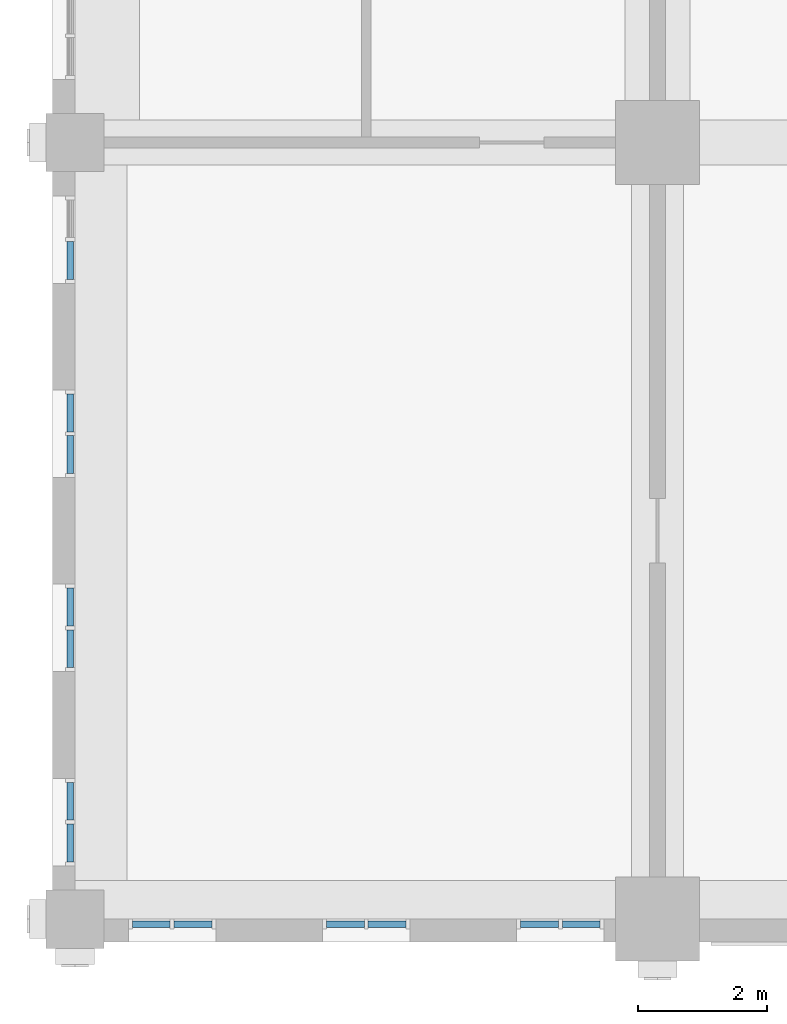
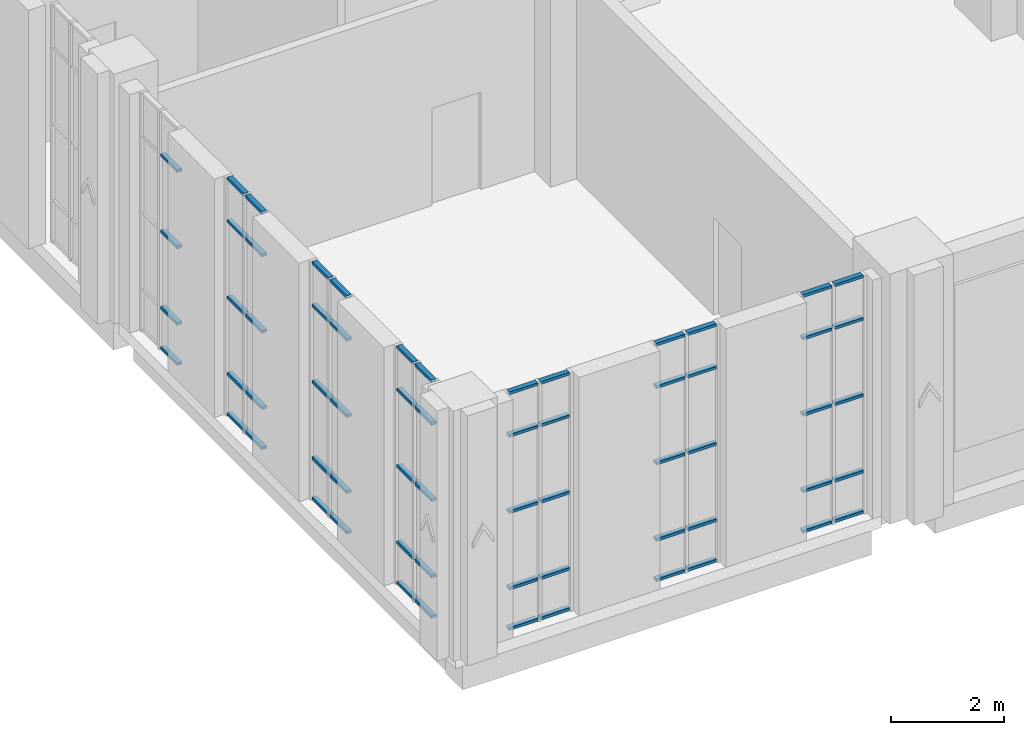
# One storey, part 9 of 37: 64 members, 7 elements without a shape of their own.
"""IFC4 building model written with IfcOpenShell, lengths in metres."""

from ifc_helpers import new_model, si_unit, direction, frame, origin, origin_2d, place, context, subcontext, project, spatial, rectangle, extrude, material, layer, layer_set, material_profile, profile_set, type_object, element, aggregate, save


model = new_model("IFC4")

# Units and contexts
model_context = context("Model", 3, precision=1e-05, world=origin(), true_north=direction((0.0, 1.0)))
body_context = subcontext(model_context, "Body", "Model", "MODEL_VIEW")
ifc_project = project(units=[si_unit("LENGTHUNIT", "METRE"), si_unit("AREAUNIT", "SQUARE_METRE"), si_unit("VOLUMEUNIT", "CUBIC_METRE"), si_unit("PLANEANGLEUNIT", "RADIAN"), si_unit("MASSUNIT", "GRAM", prefix="KILO")], contexts=[model_context])

# Site, building, storey
site_placement = place(None, origin())
site = spatial("IfcSite", under=ifc_project, at=site_placement, CompositionType="ELEMENT")
building_placement = place(site_placement, origin())
building = spatial("IfcBuilding", under=site, at=building_placement, Name="Aurelan Courthouse", CompositionType="ELEMENT")
storey_placement = place(building_placement, frame((0.0, 0.0, 17.39990234375)))
storey = spatial("IfcBuildingStorey", under=building, at=storey_placement, Name="L03", CompositionType="ELEMENT", Elevation=17.39990234375)

# Curtain wall, members
ifc_material_1 = material(Name="Bronze-finished aluminium and glass", Category="aluminium")
ifc_layer = layer(ifc_material_1, 0.14990234375)
ifc_layer_set = layer_set([ifc_layer], Name="Bronze-finished aluminium and glass")
curtain_wall_type = type_object("IfcCurtainWallType", Name="Curtain wall 1350 x 5150", PredefinedType="NOTDEFINED", material=ifc_layer_set)
curtain_wall_1_placement = place(storey_placement, origin())
curtain_wall_1 = element("IfcCurtainWall", 1, at=curtain_wall_1_placement, inside=storey, type_object=curtain_wall_type, Name="Curtain wall CW-V5-L03-S01", PredefinedType="NOTDEFINED")
ifc_material_2 = material(Name="Bronze-finished aluminium", Category="aluminium")
ifc_material_profile = material_profile(ifc_material_2, rectangle(XDim=0.10009765625, YDim=0.06005859375, at=origin_2d()), Name="Bronze transom 60 x 100")
ifc_profile_set = profile_set([ifc_material_profile], Name="Bronze-finished aluminium")
member_type = type_object("IfcMemberType", Name="Curtain wall transom 60 x 100", PredefinedType="USERDEFINED", material=ifc_profile_set)
member_1_placement = place(storey_placement, frame((0.885009765625, -0.074951171875, 0.030029296875), z_axis=(1.0, 0.0, 0.0), x_axis=(0.0, 1.0, 0.0)))
member_1 = element("IfcMember", 2, at=member_1_placement, type_object=member_type, Name="CW-V5-L03-S01 transom 1.1", ObjectType="TRANSOM", PredefinedType="USERDEFINED", context=body_context, shape_type="SweptSolid", body=[
    extrude(rectangle(XDim=0.10009765625, YDim=0.06005859375, at=origin_2d()), origin(), (0.0, 0.0, 1.0), 0.5849609375),
])
member_2_placement = place(storey_placement, frame((0.885009765625, -0.074951171875, 0.900146484375), z_axis=(1.0, 0.0, 0.0), x_axis=(0.0, 1.0, 0.0)))
member_2 = element("IfcMember", 3, at=member_2_placement, type_object=member_type, Name="CW-V5-L03-S01 transom 1.2", ObjectType="TRANSOM", PredefinedType="USERDEFINED", context=body_context, shape_type="SweptSolid", body=[
    extrude(rectangle(XDim=0.10009765625, YDim=0.06005859375, at=origin_2d()), origin(), (0.0, 0.0, 1.0), 0.5849609375),
])
member_3_placement = place(storey_placement, frame((0.885009765625, -0.074951171875, 2.550048828125), z_axis=(1.0, 0.0, 0.0), x_axis=(0.0, 1.0, 0.0)))
member_3 = element("IfcMember", 4, at=member_3_placement, type_object=member_type, Name="CW-V5-L03-S01 transom 1.3", ObjectType="TRANSOM", PredefinedType="USERDEFINED", context=body_context, shape_type="SweptSolid", body=[
    extrude(rectangle(XDim=0.10009765625, YDim=0.06005859375, at=origin_2d()), origin(), (0.0, 0.0, 1.0), 0.5849609375),
])
member_4_placement = place(storey_placement, frame((0.885009765625, -0.074951171875, 4.2001953125), z_axis=(1.0, 0.0, 0.0), x_axis=(0.0, 1.0, 0.0)))
member_4 = element("IfcMember", 5, at=member_4_placement, type_object=member_type, Name="CW-V5-L03-S01 transom 1.4", ObjectType="TRANSOM", PredefinedType="USERDEFINED", context=body_context, shape_type="SweptSolid", body=[
    extrude(rectangle(XDim=0.10009765625, YDim=0.06005859375, at=origin_2d()), origin(), (0.0, 0.0, 1.0), 0.5849609375),
])
member_5_placement = place(storey_placement, frame((0.885009765625, -0.074951171875, 5.1201171875), z_axis=(1.0, 0.0, 0.0), x_axis=(0.0, 1.0, 0.0)))
member_5 = element("IfcMember", 6, at=member_5_placement, type_object=member_type, Name="CW-V5-L03-S01 transom 1.5", ObjectType="TRANSOM", PredefinedType="USERDEFINED", context=body_context, shape_type="SweptSolid", body=[
    extrude(rectangle(XDim=0.10009765625, YDim=0.06005859375, at=origin_2d()), origin(), (0.0, 0.0, 1.0), 0.5849609375),
])
member_6_placement = place(storey_placement, frame((1.530029296875, -0.074951171875, 0.030029296875), z_axis=(1.0, 0.0, 0.0), x_axis=(0.0, 1.0, 0.0)))
member_6 = element("IfcMember", 7, at=member_6_placement, type_object=member_type, Name="CW-V5-L03-S01 transom 2.1", ObjectType="TRANSOM", PredefinedType="USERDEFINED", context=body_context, shape_type="SweptSolid", body=[
    extrude(rectangle(XDim=0.10009765625, YDim=0.06005859375, at=origin_2d()), origin(), (0.0, 0.0, 1.0), 0.5849609375),
])
member_7_placement = place(storey_placement, frame((1.530029296875, -0.074951171875, 0.900146484375), z_axis=(1.0, 0.0, 0.0), x_axis=(0.0, 1.0, 0.0)))
member_7 = element("IfcMember", 8, at=member_7_placement, type_object=member_type, Name="CW-V5-L03-S01 transom 2.2", ObjectType="TRANSOM", PredefinedType="USERDEFINED", context=body_context, shape_type="SweptSolid", body=[
    extrude(rectangle(XDim=0.10009765625, YDim=0.06005859375, at=origin_2d()), origin(), (0.0, 0.0, 1.0), 0.5849609375),
])
member_8_placement = place(storey_placement, frame((1.530029296875, -0.074951171875, 2.550048828125), z_axis=(1.0, 0.0, 0.0), x_axis=(0.0, 1.0, 0.0)))
member_8 = element("IfcMember", 9, at=member_8_placement, type_object=member_type, Name="CW-V5-L03-S01 transom 2.3", ObjectType="TRANSOM", PredefinedType="USERDEFINED", context=body_context, shape_type="SweptSolid", body=[
    extrude(rectangle(XDim=0.10009765625, YDim=0.06005859375, at=origin_2d()), origin(), (0.0, 0.0, 1.0), 0.5849609375),
])
member_9_placement = place(storey_placement, frame((1.530029296875, -0.074951171875, 4.2001953125), z_axis=(1.0, 0.0, 0.0), x_axis=(0.0, 1.0, 0.0)))
member_9 = element("IfcMember", 10, at=member_9_placement, type_object=member_type, Name="CW-V5-L03-S01 transom 2.4", ObjectType="TRANSOM", PredefinedType="USERDEFINED", context=body_context, shape_type="SweptSolid", body=[
    extrude(rectangle(XDim=0.10009765625, YDim=0.06005859375, at=origin_2d()), origin(), (0.0, 0.0, 1.0), 0.5849609375),
])
member_10_placement = place(storey_placement, frame((1.530029296875, -0.074951171875, 5.1201171875), z_axis=(1.0, 0.0, 0.0), x_axis=(0.0, 1.0, 0.0)))
member_10 = element("IfcMember", 11, at=member_10_placement, type_object=member_type, Name="CW-V5-L03-S01 transom 2.5", ObjectType="TRANSOM", PredefinedType="USERDEFINED", context=body_context, shape_type="SweptSolid", body=[
    extrude(rectangle(XDim=0.10009765625, YDim=0.06005859375, at=origin_2d()), origin(), (0.0, 0.0, 1.0), 0.5849609375),
])
aggregate(curtain_wall_1, [member_1, member_2, member_3, member_4, member_5, member_6, member_7, member_8, member_9, member_10])

curtain_wall_2_placement = place(storey_placement, origin())
curtain_wall_2 = element("IfcCurtainWall", 12, at=curtain_wall_2_placement, inside=storey, type_object=curtain_wall_type, Name="Curtain wall CW-V5-L03-S02", PredefinedType="NOTDEFINED")
member_11_placement = place(storey_placement, frame((3.885009765625, -0.074951171875, 0.030029296875), z_axis=(1.0, 0.0, 0.0), x_axis=(0.0, 1.0, 0.0)))
member_11 = element("IfcMember", 13, at=member_11_placement, type_object=member_type, Name="CW-V5-L03-S02 transom 1.1", ObjectType="TRANSOM", PredefinedType="USERDEFINED", context=body_context, shape_type="SweptSolid", body=[
    extrude(rectangle(XDim=0.10009765625, YDim=0.06005859375, at=origin_2d()), origin(), (0.0, 0.0, 1.0), 0.5849609375),
])
member_12_placement = place(storey_placement, frame((3.885009765625, -0.074951171875, 0.900146484375), z_axis=(1.0, 0.0, 0.0), x_axis=(0.0, 1.0, 0.0)))
member_12 = element("IfcMember", 14, at=member_12_placement, type_object=member_type, Name="CW-V5-L03-S02 transom 1.2", ObjectType="TRANSOM", PredefinedType="USERDEFINED", context=body_context, shape_type="SweptSolid", body=[
    extrude(rectangle(XDim=0.10009765625, YDim=0.06005859375, at=origin_2d()), origin(), (0.0, 0.0, 1.0), 0.5849609375),
])
member_13_placement = place(storey_placement, frame((3.885009765625, -0.074951171875, 2.550048828125), z_axis=(1.0, 0.0, 0.0), x_axis=(0.0, 1.0, 0.0)))
member_13 = element("IfcMember", 15, at=member_13_placement, type_object=member_type, Name="CW-V5-L03-S02 transom 1.3", ObjectType="TRANSOM", PredefinedType="USERDEFINED", context=body_context, shape_type="SweptSolid", body=[
    extrude(rectangle(XDim=0.10009765625, YDim=0.06005859375, at=origin_2d()), origin(), (0.0, 0.0, 1.0), 0.5849609375),
])
member_14_placement = place(storey_placement, frame((3.885009765625, -0.074951171875, 4.2001953125), z_axis=(1.0, 0.0, 0.0), x_axis=(0.0, 1.0, 0.0)))
member_14 = element("IfcMember", 16, at=member_14_placement, type_object=member_type, Name="CW-V5-L03-S02 transom 1.4", ObjectType="TRANSOM", PredefinedType="USERDEFINED", context=body_context, shape_type="SweptSolid", body=[
    extrude(rectangle(XDim=0.10009765625, YDim=0.06005859375, at=origin_2d()), origin(), (0.0, 0.0, 1.0), 0.5849609375),
])
member_15_placement = place(storey_placement, frame((3.885009765625, -0.074951171875, 5.1201171875), z_axis=(1.0, 0.0, 0.0), x_axis=(0.0, 1.0, 0.0)))
member_15 = element("IfcMember", 17, at=member_15_placement, type_object=member_type, Name="CW-V5-L03-S02 transom 1.5", ObjectType="TRANSOM", PredefinedType="USERDEFINED", context=body_context, shape_type="SweptSolid", body=[
    extrude(rectangle(XDim=0.10009765625, YDim=0.06005859375, at=origin_2d()), origin(), (0.0, 0.0, 1.0), 0.5849609375),
])
member_16_placement = place(storey_placement, frame((4.530029296875, -0.074951171875, 0.030029296875), z_axis=(1.0, 0.0, 0.0), x_axis=(0.0, 1.0, 0.0)))
member_16 = element("IfcMember", 18, at=member_16_placement, type_object=member_type, Name="CW-V5-L03-S02 transom 2.1", ObjectType="TRANSOM", PredefinedType="USERDEFINED", context=body_context, shape_type="SweptSolid", body=[
    extrude(rectangle(XDim=0.10009765625, YDim=0.06005859375, at=origin_2d()), origin(), (0.0, 0.0, 1.0), 0.5849609375),
])
member_17_placement = place(storey_placement, frame((4.530029296875, -0.074951171875, 0.900146484375), z_axis=(1.0, 0.0, 0.0), x_axis=(0.0, 1.0, 0.0)))
member_17 = element("IfcMember", 19, at=member_17_placement, type_object=member_type, Name="CW-V5-L03-S02 transom 2.2", ObjectType="TRANSOM", PredefinedType="USERDEFINED", context=body_context, shape_type="SweptSolid", body=[
    extrude(rectangle(XDim=0.10009765625, YDim=0.06005859375, at=origin_2d()), origin(), (0.0, 0.0, 1.0), 0.5849609375),
])
member_18_placement = place(storey_placement, frame((4.530029296875, -0.074951171875, 2.550048828125), z_axis=(1.0, 0.0, 0.0), x_axis=(0.0, 1.0, 0.0)))
member_18 = element("IfcMember", 20, at=member_18_placement, type_object=member_type, Name="CW-V5-L03-S02 transom 2.3", ObjectType="TRANSOM", PredefinedType="USERDEFINED", context=body_context, shape_type="SweptSolid", body=[
    extrude(rectangle(XDim=0.10009765625, YDim=0.06005859375, at=origin_2d()), origin(), (0.0, 0.0, 1.0), 0.5849609375),
])
member_19_placement = place(storey_placement, frame((4.530029296875, -0.074951171875, 4.2001953125), z_axis=(1.0, 0.0, 0.0), x_axis=(0.0, 1.0, 0.0)))
member_19 = element("IfcMember", 21, at=member_19_placement, type_object=member_type, Name="CW-V5-L03-S02 transom 2.4", ObjectType="TRANSOM", PredefinedType="USERDEFINED", context=body_context, shape_type="SweptSolid", body=[
    extrude(rectangle(XDim=0.10009765625, YDim=0.06005859375, at=origin_2d()), origin(), (0.0, 0.0, 1.0), 0.5849609375),
])
member_20_placement = place(storey_placement, frame((4.530029296875, -0.074951171875, 5.1201171875), z_axis=(1.0, 0.0, 0.0), x_axis=(0.0, 1.0, 0.0)))
member_20 = element("IfcMember", 22, at=member_20_placement, type_object=member_type, Name="CW-V5-L03-S02 transom 2.5", ObjectType="TRANSOM", PredefinedType="USERDEFINED", context=body_context, shape_type="SweptSolid", body=[
    extrude(rectangle(XDim=0.10009765625, YDim=0.06005859375, at=origin_2d()), origin(), (0.0, 0.0, 1.0), 0.5849609375),
])
aggregate(curtain_wall_2, [member_11, member_12, member_13, member_14, member_15, member_16, member_17, member_18, member_19, member_20])

curtain_wall_3_placement = place(storey_placement, origin())
curtain_wall_3 = element("IfcCurtainWall", 23, at=curtain_wall_3_placement, inside=storey, type_object=curtain_wall_type, Name="Curtain wall CW-V5-L03-S03", PredefinedType="NOTDEFINED")
member_21_placement = place(storey_placement, frame((6.885009765625, -0.074951171875, 0.030029296875), z_axis=(1.0, 0.0, 0.0), x_axis=(0.0, 1.0, 0.0)))
member_21 = element("IfcMember", 24, at=member_21_placement, type_object=member_type, Name="CW-V5-L03-S03 transom 1.1", ObjectType="TRANSOM", PredefinedType="USERDEFINED", context=body_context, shape_type="SweptSolid", body=[
    extrude(rectangle(XDim=0.10009765625, YDim=0.06005859375, at=origin_2d()), origin(), (0.0, 0.0, 1.0), 0.5849609375),
])
member_22_placement = place(storey_placement, frame((6.885009765625, -0.074951171875, 0.900146484375), z_axis=(1.0, 0.0, 0.0), x_axis=(0.0, 1.0, 0.0)))
member_22 = element("IfcMember", 25, at=member_22_placement, type_object=member_type, Name="CW-V5-L03-S03 transom 1.2", ObjectType="TRANSOM", PredefinedType="USERDEFINED", context=body_context, shape_type="SweptSolid", body=[
    extrude(rectangle(XDim=0.10009765625, YDim=0.06005859375, at=origin_2d()), origin(), (0.0, 0.0, 1.0), 0.5849609375),
])
member_23_placement = place(storey_placement, frame((6.885009765625, -0.074951171875, 2.550048828125), z_axis=(1.0, 0.0, 0.0), x_axis=(0.0, 1.0, 0.0)))
member_23 = element("IfcMember", 26, at=member_23_placement, type_object=member_type, Name="CW-V5-L03-S03 transom 1.3", ObjectType="TRANSOM", PredefinedType="USERDEFINED", context=body_context, shape_type="SweptSolid", body=[
    extrude(rectangle(XDim=0.10009765625, YDim=0.06005859375, at=origin_2d()), origin(), (0.0, 0.0, 1.0), 0.5849609375),
])
member_24_placement = place(storey_placement, frame((6.885009765625, -0.074951171875, 4.2001953125), z_axis=(1.0, 0.0, 0.0), x_axis=(0.0, 1.0, 0.0)))
member_24 = element("IfcMember", 27, at=member_24_placement, type_object=member_type, Name="CW-V5-L03-S03 transom 1.4", ObjectType="TRANSOM", PredefinedType="USERDEFINED", context=body_context, shape_type="SweptSolid", body=[
    extrude(rectangle(XDim=0.10009765625, YDim=0.06005859375, at=origin_2d()), origin(), (0.0, 0.0, 1.0), 0.5849609375),
])
member_25_placement = place(storey_placement, frame((6.885009765625, -0.074951171875, 5.1201171875), z_axis=(1.0, 0.0, 0.0), x_axis=(0.0, 1.0, 0.0)))
member_25 = element("IfcMember", 28, at=member_25_placement, type_object=member_type, Name="CW-V5-L03-S03 transom 1.5", ObjectType="TRANSOM", PredefinedType="USERDEFINED", context=body_context, shape_type="SweptSolid", body=[
    extrude(rectangle(XDim=0.10009765625, YDim=0.06005859375, at=origin_2d()), origin(), (0.0, 0.0, 1.0), 0.5849609375),
])
member_26_placement = place(storey_placement, frame((7.530029296875, -0.074951171875, 0.030029296875), z_axis=(1.0, 0.0, 0.0), x_axis=(0.0, 1.0, 0.0)))
member_26 = element("IfcMember", 29, at=member_26_placement, type_object=member_type, Name="CW-V5-L03-S03 transom 2.1", ObjectType="TRANSOM", PredefinedType="USERDEFINED", context=body_context, shape_type="SweptSolid", body=[
    extrude(rectangle(XDim=0.10009765625, YDim=0.06005859375, at=origin_2d()), origin(), (0.0, 0.0, 1.0), 0.5849609375),
])
member_27_placement = place(storey_placement, frame((7.530029296875, -0.074951171875, 0.900146484375), z_axis=(1.0, 0.0, 0.0), x_axis=(0.0, 1.0, 0.0)))
member_27 = element("IfcMember", 30, at=member_27_placement, type_object=member_type, Name="CW-V5-L03-S03 transom 2.2", ObjectType="TRANSOM", PredefinedType="USERDEFINED", context=body_context, shape_type="SweptSolid", body=[
    extrude(rectangle(XDim=0.10009765625, YDim=0.06005859375, at=origin_2d()), origin(), (0.0, 0.0, 1.0), 0.5849609375),
])
member_28_placement = place(storey_placement, frame((7.530029296875, -0.074951171875, 2.550048828125), z_axis=(1.0, 0.0, 0.0), x_axis=(0.0, 1.0, 0.0)))
member_28 = element("IfcMember", 31, at=member_28_placement, type_object=member_type, Name="CW-V5-L03-S03 transom 2.3", ObjectType="TRANSOM", PredefinedType="USERDEFINED", context=body_context, shape_type="SweptSolid", body=[
    extrude(rectangle(XDim=0.10009765625, YDim=0.06005859375, at=origin_2d()), origin(), (0.0, 0.0, 1.0), 0.5849609375),
])
member_29_placement = place(storey_placement, frame((7.530029296875, -0.074951171875, 4.2001953125), z_axis=(1.0, 0.0, 0.0), x_axis=(0.0, 1.0, 0.0)))
member_29 = element("IfcMember", 32, at=member_29_placement, type_object=member_type, Name="CW-V5-L03-S03 transom 2.4", ObjectType="TRANSOM", PredefinedType="USERDEFINED", context=body_context, shape_type="SweptSolid", body=[
    extrude(rectangle(XDim=0.10009765625, YDim=0.06005859375, at=origin_2d()), origin(), (0.0, 0.0, 1.0), 0.5849609375),
])
member_30_placement = place(storey_placement, frame((7.530029296875, -0.074951171875, 5.1201171875), z_axis=(1.0, 0.0, 0.0), x_axis=(0.0, 1.0, 0.0)))
member_30 = element("IfcMember", 33, at=member_30_placement, type_object=member_type, Name="CW-V5-L03-S03 transom 2.5", ObjectType="TRANSOM", PredefinedType="USERDEFINED", context=body_context, shape_type="SweptSolid", body=[
    extrude(rectangle(XDim=0.10009765625, YDim=0.06005859375, at=origin_2d()), origin(), (0.0, 0.0, 1.0), 0.5849609375),
])
aggregate(curtain_wall_3, [member_21, member_22, member_23, member_24, member_25, member_26, member_27, member_28, member_29, member_30])

curtain_wall_4_placement = place(storey_placement, origin())
curtain_wall_4 = element("IfcCurtainWall", 34, at=curtain_wall_4_placement, inside=storey, type_object=curtain_wall_type, Name="Curtain wall CW-V5-L03-W01", PredefinedType="NOTDEFINED")
member_31_placement = place(storey_placement, frame((-0.074951171875, 0.885009765625, 0.030029296875), z_axis=(0.0, 1.0, 0.0), x_axis=(-1.0, 0.0, 0.0)))
member_31 = element("IfcMember", 35, at=member_31_placement, type_object=member_type, Name="CW-V5-L03-W01 transom 1.1", ObjectType="TRANSOM", PredefinedType="USERDEFINED", context=body_context, shape_type="SweptSolid", body=[
    extrude(rectangle(XDim=0.10009765625, YDim=0.06005859375, at=origin_2d()), origin(), (0.0, 0.0, 1.0), 0.5849609375),
])
member_32_placement = place(storey_placement, frame((-0.074951171875, 0.885009765625, 0.900146484375), z_axis=(0.0, 1.0, 0.0), x_axis=(-1.0, 0.0, 0.0)))
member_32 = element("IfcMember", 36, at=member_32_placement, type_object=member_type, Name="CW-V5-L03-W01 transom 1.2", ObjectType="TRANSOM", PredefinedType="USERDEFINED", context=body_context, shape_type="SweptSolid", body=[
    extrude(rectangle(XDim=0.10009765625, YDim=0.06005859375, at=origin_2d()), origin(), (0.0, 0.0, 1.0), 0.5849609375),
])
member_33_placement = place(storey_placement, frame((-0.074951171875, 0.885009765625, 2.550048828125), z_axis=(0.0, 1.0, 0.0), x_axis=(-1.0, 0.0, 0.0)))
member_33 = element("IfcMember", 37, at=member_33_placement, type_object=member_type, Name="CW-V5-L03-W01 transom 1.3", ObjectType="TRANSOM", PredefinedType="USERDEFINED", context=body_context, shape_type="SweptSolid", body=[
    extrude(rectangle(XDim=0.10009765625, YDim=0.06005859375, at=origin_2d()), origin(), (0.0, 0.0, 1.0), 0.5849609375),
])
member_34_placement = place(storey_placement, frame((-0.074951171875, 0.885009765625, 4.2001953125), z_axis=(0.0, 1.0, 0.0), x_axis=(-1.0, 0.0, 0.0)))
member_34 = element("IfcMember", 38, at=member_34_placement, type_object=member_type, Name="CW-V5-L03-W01 transom 1.4", ObjectType="TRANSOM", PredefinedType="USERDEFINED", context=body_context, shape_type="SweptSolid", body=[
    extrude(rectangle(XDim=0.10009765625, YDim=0.06005859375, at=origin_2d()), origin(), (0.0, 0.0, 1.0), 0.5849609375),
])
member_35_placement = place(storey_placement, frame((-0.074951171875, 0.885009765625, 5.1201171875), z_axis=(0.0, 1.0, 0.0), x_axis=(-1.0, 0.0, 0.0)))
member_35 = element("IfcMember", 39, at=member_35_placement, type_object=member_type, Name="CW-V5-L03-W01 transom 1.5", ObjectType="TRANSOM", PredefinedType="USERDEFINED", context=body_context, shape_type="SweptSolid", body=[
    extrude(rectangle(XDim=0.10009765625, YDim=0.06005859375, at=origin_2d()), origin(), (0.0, 0.0, 1.0), 0.5849609375),
])
member_36_placement = place(storey_placement, frame((-0.074951171875, 1.530029296875, 0.030029296875), z_axis=(0.0, 1.0, 0.0), x_axis=(-1.0, 0.0, 0.0)))
member_36 = element("IfcMember", 40, at=member_36_placement, type_object=member_type, Name="CW-V5-L03-W01 transom 2.1", ObjectType="TRANSOM", PredefinedType="USERDEFINED", context=body_context, shape_type="SweptSolid", body=[
    extrude(rectangle(XDim=0.10009765625, YDim=0.06005859375, at=origin_2d()), origin(), (0.0, 0.0, 1.0), 0.5849609375),
])
member_37_placement = place(storey_placement, frame((-0.074951171875, 1.530029296875, 0.900146484375), z_axis=(0.0, 1.0, 0.0), x_axis=(-1.0, 0.0, 0.0)))
member_37 = element("IfcMember", 41, at=member_37_placement, type_object=member_type, Name="CW-V5-L03-W01 transom 2.2", ObjectType="TRANSOM", PredefinedType="USERDEFINED", context=body_context, shape_type="SweptSolid", body=[
    extrude(rectangle(XDim=0.10009765625, YDim=0.06005859375, at=origin_2d()), origin(), (0.0, 0.0, 1.0), 0.5849609375),
])
member_38_placement = place(storey_placement, frame((-0.074951171875, 1.530029296875, 2.550048828125), z_axis=(0.0, 1.0, 0.0), x_axis=(-1.0, 0.0, 0.0)))
member_38 = element("IfcMember", 42, at=member_38_placement, type_object=member_type, Name="CW-V5-L03-W01 transom 2.3", ObjectType="TRANSOM", PredefinedType="USERDEFINED", context=body_context, shape_type="SweptSolid", body=[
    extrude(rectangle(XDim=0.10009765625, YDim=0.06005859375, at=origin_2d()), origin(), (0.0, 0.0, 1.0), 0.5849609375),
])
member_39_placement = place(storey_placement, frame((-0.074951171875, 1.530029296875, 4.2001953125), z_axis=(0.0, 1.0, 0.0), x_axis=(-1.0, 0.0, 0.0)))
member_39 = element("IfcMember", 43, at=member_39_placement, type_object=member_type, Name="CW-V5-L03-W01 transom 2.4", ObjectType="TRANSOM", PredefinedType="USERDEFINED", context=body_context, shape_type="SweptSolid", body=[
    extrude(rectangle(XDim=0.10009765625, YDim=0.06005859375, at=origin_2d()), origin(), (0.0, 0.0, 1.0), 0.5849609375),
])
member_40_placement = place(storey_placement, frame((-0.074951171875, 1.530029296875, 5.1201171875), z_axis=(0.0, 1.0, 0.0), x_axis=(-1.0, 0.0, 0.0)))
member_40 = element("IfcMember", 44, at=member_40_placement, type_object=member_type, Name="CW-V5-L03-W01 transom 2.5", ObjectType="TRANSOM", PredefinedType="USERDEFINED", context=body_context, shape_type="SweptSolid", body=[
    extrude(rectangle(XDim=0.10009765625, YDim=0.06005859375, at=origin_2d()), origin(), (0.0, 0.0, 1.0), 0.5849609375),
])
aggregate(curtain_wall_4, [member_31, member_32, member_33, member_34, member_35, member_36, member_37, member_38, member_39, member_40])

curtain_wall_5_placement = place(storey_placement, origin())
curtain_wall_5 = element("IfcCurtainWall", 45, at=curtain_wall_5_placement, inside=storey, type_object=curtain_wall_type, Name="Curtain wall CW-V5-L03-W02", PredefinedType="NOTDEFINED")
member_41_placement = place(storey_placement, frame((-0.074951171875, 3.885009765625, 0.030029296875), z_axis=(0.0, 1.0, 0.0), x_axis=(-1.0, 0.0, 0.0)))
member_41 = element("IfcMember", 46, at=member_41_placement, type_object=member_type, Name="CW-V5-L03-W02 transom 1.1", ObjectType="TRANSOM", PredefinedType="USERDEFINED", context=body_context, shape_type="SweptSolid", body=[
    extrude(rectangle(XDim=0.10009765625, YDim=0.06005859375, at=origin_2d()), origin(), (0.0, 0.0, 1.0), 0.5849609375),
])
member_42_placement = place(storey_placement, frame((-0.074951171875, 3.885009765625, 0.900146484375), z_axis=(0.0, 1.0, 0.0), x_axis=(-1.0, 0.0, 0.0)))
member_42 = element("IfcMember", 47, at=member_42_placement, type_object=member_type, Name="CW-V5-L03-W02 transom 1.2", ObjectType="TRANSOM", PredefinedType="USERDEFINED", context=body_context, shape_type="SweptSolid", body=[
    extrude(rectangle(XDim=0.10009765625, YDim=0.06005859375, at=origin_2d()), origin(), (0.0, 0.0, 1.0), 0.5849609375),
])
member_43_placement = place(storey_placement, frame((-0.074951171875, 3.885009765625, 2.550048828125), z_axis=(0.0, 1.0, 0.0), x_axis=(-1.0, 0.0, 0.0)))
member_43 = element("IfcMember", 48, at=member_43_placement, type_object=member_type, Name="CW-V5-L03-W02 transom 1.3", ObjectType="TRANSOM", PredefinedType="USERDEFINED", context=body_context, shape_type="SweptSolid", body=[
    extrude(rectangle(XDim=0.10009765625, YDim=0.06005859375, at=origin_2d()), origin(), (0.0, 0.0, 1.0), 0.5849609375),
])
member_44_placement = place(storey_placement, frame((-0.074951171875, 3.885009765625, 4.2001953125), z_axis=(0.0, 1.0, 0.0), x_axis=(-1.0, 0.0, 0.0)))
member_44 = element("IfcMember", 49, at=member_44_placement, type_object=member_type, Name="CW-V5-L03-W02 transom 1.4", ObjectType="TRANSOM", PredefinedType="USERDEFINED", context=body_context, shape_type="SweptSolid", body=[
    extrude(rectangle(XDim=0.10009765625, YDim=0.06005859375, at=origin_2d()), origin(), (0.0, 0.0, 1.0), 0.5849609375),
])
member_45_placement = place(storey_placement, frame((-0.074951171875, 3.885009765625, 5.1201171875), z_axis=(0.0, 1.0, 0.0), x_axis=(-1.0, 0.0, 0.0)))
member_45 = element("IfcMember", 50, at=member_45_placement, type_object=member_type, Name="CW-V5-L03-W02 transom 1.5", ObjectType="TRANSOM", PredefinedType="USERDEFINED", context=body_context, shape_type="SweptSolid", body=[
    extrude(rectangle(XDim=0.10009765625, YDim=0.06005859375, at=origin_2d()), origin(), (0.0, 0.0, 1.0), 0.5849609375),
])
member_46_placement = place(storey_placement, frame((-0.074951171875, 4.530029296875, 0.030029296875), z_axis=(0.0, 1.0, 0.0), x_axis=(-1.0, 0.0, 0.0)))
member_46 = element("IfcMember", 51, at=member_46_placement, type_object=member_type, Name="CW-V5-L03-W02 transom 2.1", ObjectType="TRANSOM", PredefinedType="USERDEFINED", context=body_context, shape_type="SweptSolid", body=[
    extrude(rectangle(XDim=0.10009765625, YDim=0.06005859375, at=origin_2d()), origin(), (0.0, 0.0, 1.0), 0.5849609375),
])
member_47_placement = place(storey_placement, frame((-0.074951171875, 4.530029296875, 0.900146484375), z_axis=(0.0, 1.0, 0.0), x_axis=(-1.0, 0.0, 0.0)))
member_47 = element("IfcMember", 52, at=member_47_placement, type_object=member_type, Name="CW-V5-L03-W02 transom 2.2", ObjectType="TRANSOM", PredefinedType="USERDEFINED", context=body_context, shape_type="SweptSolid", body=[
    extrude(rectangle(XDim=0.10009765625, YDim=0.06005859375, at=origin_2d()), origin(), (0.0, 0.0, 1.0), 0.5849609375),
])
member_48_placement = place(storey_placement, frame((-0.074951171875, 4.530029296875, 2.550048828125), z_axis=(0.0, 1.0, 0.0), x_axis=(-1.0, 0.0, 0.0)))
member_48 = element("IfcMember", 53, at=member_48_placement, type_object=member_type, Name="CW-V5-L03-W02 transom 2.3", ObjectType="TRANSOM", PredefinedType="USERDEFINED", context=body_context, shape_type="SweptSolid", body=[
    extrude(rectangle(XDim=0.10009765625, YDim=0.06005859375, at=origin_2d()), origin(), (0.0, 0.0, 1.0), 0.5849609375),
])
member_49_placement = place(storey_placement, frame((-0.074951171875, 4.530029296875, 4.2001953125), z_axis=(0.0, 1.0, 0.0), x_axis=(-1.0, 0.0, 0.0)))
member_49 = element("IfcMember", 54, at=member_49_placement, type_object=member_type, Name="CW-V5-L03-W02 transom 2.4", ObjectType="TRANSOM", PredefinedType="USERDEFINED", context=body_context, shape_type="SweptSolid", body=[
    extrude(rectangle(XDim=0.10009765625, YDim=0.06005859375, at=origin_2d()), origin(), (0.0, 0.0, 1.0), 0.5849609375),
])
member_50_placement = place(storey_placement, frame((-0.074951171875, 4.530029296875, 5.1201171875), z_axis=(0.0, 1.0, 0.0), x_axis=(-1.0, 0.0, 0.0)))
member_50 = element("IfcMember", 55, at=member_50_placement, type_object=member_type, Name="CW-V5-L03-W02 transom 2.5", ObjectType="TRANSOM", PredefinedType="USERDEFINED", context=body_context, shape_type="SweptSolid", body=[
    extrude(rectangle(XDim=0.10009765625, YDim=0.06005859375, at=origin_2d()), origin(), (0.0, 0.0, 1.0), 0.5849609375),
])
aggregate(curtain_wall_5, [member_41, member_42, member_43, member_44, member_45, member_46, member_47, member_48, member_49, member_50])

curtain_wall_6_placement = place(storey_placement, origin())
curtain_wall_6 = element("IfcCurtainWall", 56, at=curtain_wall_6_placement, inside=storey, type_object=curtain_wall_type, Name="Curtain wall CW-V5-L03-W03", PredefinedType="NOTDEFINED")
member_51_placement = place(storey_placement, frame((-0.074951171875, 6.885009765625, 0.030029296875), z_axis=(0.0, 1.0, 0.0), x_axis=(-1.0, 0.0, 0.0)))
member_51 = element("IfcMember", 57, at=member_51_placement, type_object=member_type, Name="CW-V5-L03-W03 transom 1.1", ObjectType="TRANSOM", PredefinedType="USERDEFINED", context=body_context, shape_type="SweptSolid", body=[
    extrude(rectangle(XDim=0.10009765625, YDim=0.06005859375, at=origin_2d()), origin(), (0.0, 0.0, 1.0), 0.5849609375),
])
member_52_placement = place(storey_placement, frame((-0.074951171875, 6.885009765625, 0.900146484375), z_axis=(0.0, 1.0, 0.0), x_axis=(-1.0, 0.0, 0.0)))
member_52 = element("IfcMember", 58, at=member_52_placement, type_object=member_type, Name="CW-V5-L03-W03 transom 1.2", ObjectType="TRANSOM", PredefinedType="USERDEFINED", context=body_context, shape_type="SweptSolid", body=[
    extrude(rectangle(XDim=0.10009765625, YDim=0.06005859375, at=origin_2d()), origin(), (0.0, 0.0, 1.0), 0.5849609375),
])
member_53_placement = place(storey_placement, frame((-0.074951171875, 6.885009765625, 2.550048828125), z_axis=(0.0, 1.0, 0.0), x_axis=(-1.0, 0.0, 0.0)))
member_53 = element("IfcMember", 59, at=member_53_placement, type_object=member_type, Name="CW-V5-L03-W03 transom 1.3", ObjectType="TRANSOM", PredefinedType="USERDEFINED", context=body_context, shape_type="SweptSolid", body=[
    extrude(rectangle(XDim=0.10009765625, YDim=0.06005859375, at=origin_2d()), origin(), (0.0, 0.0, 1.0), 0.5849609375),
])
member_54_placement = place(storey_placement, frame((-0.074951171875, 6.885009765625, 4.2001953125), z_axis=(0.0, 1.0, 0.0), x_axis=(-1.0, 0.0, 0.0)))
member_54 = element("IfcMember", 60, at=member_54_placement, type_object=member_type, Name="CW-V5-L03-W03 transom 1.4", ObjectType="TRANSOM", PredefinedType="USERDEFINED", context=body_context, shape_type="SweptSolid", body=[
    extrude(rectangle(XDim=0.10009765625, YDim=0.06005859375, at=origin_2d()), origin(), (0.0, 0.0, 1.0), 0.5849609375),
])
member_55_placement = place(storey_placement, frame((-0.074951171875, 6.885009765625, 5.1201171875), z_axis=(0.0, 1.0, 0.0), x_axis=(-1.0, 0.0, 0.0)))
member_55 = element("IfcMember", 61, at=member_55_placement, type_object=member_type, Name="CW-V5-L03-W03 transom 1.5", ObjectType="TRANSOM", PredefinedType="USERDEFINED", context=body_context, shape_type="SweptSolid", body=[
    extrude(rectangle(XDim=0.10009765625, YDim=0.06005859375, at=origin_2d()), origin(), (0.0, 0.0, 1.0), 0.5849609375),
])
member_56_placement = place(storey_placement, frame((-0.074951171875, 7.530029296875, 0.030029296875), z_axis=(0.0, 1.0, 0.0), x_axis=(-1.0, 0.0, 0.0)))
member_56 = element("IfcMember", 62, at=member_56_placement, type_object=member_type, Name="CW-V5-L03-W03 transom 2.1", ObjectType="TRANSOM", PredefinedType="USERDEFINED", context=body_context, shape_type="SweptSolid", body=[
    extrude(rectangle(XDim=0.10009765625, YDim=0.06005859375, at=origin_2d()), origin(), (0.0, 0.0, 1.0), 0.5849609375),
])
member_57_placement = place(storey_placement, frame((-0.074951171875, 7.530029296875, 0.900146484375), z_axis=(0.0, 1.0, 0.0), x_axis=(-1.0, 0.0, 0.0)))
member_57 = element("IfcMember", 63, at=member_57_placement, type_object=member_type, Name="CW-V5-L03-W03 transom 2.2", ObjectType="TRANSOM", PredefinedType="USERDEFINED", context=body_context, shape_type="SweptSolid", body=[
    extrude(rectangle(XDim=0.10009765625, YDim=0.06005859375, at=origin_2d()), origin(), (0.0, 0.0, 1.0), 0.5849609375),
])
member_58_placement = place(storey_placement, frame((-0.074951171875, 7.530029296875, 2.550048828125), z_axis=(0.0, 1.0, 0.0), x_axis=(-1.0, 0.0, 0.0)))
member_58 = element("IfcMember", 64, at=member_58_placement, type_object=member_type, Name="CW-V5-L03-W03 transom 2.3", ObjectType="TRANSOM", PredefinedType="USERDEFINED", context=body_context, shape_type="SweptSolid", body=[
    extrude(rectangle(XDim=0.10009765625, YDim=0.06005859375, at=origin_2d()), origin(), (0.0, 0.0, 1.0), 0.5849609375),
])
member_59_placement = place(storey_placement, frame((-0.074951171875, 7.530029296875, 4.2001953125), z_axis=(0.0, 1.0, 0.0), x_axis=(-1.0, 0.0, 0.0)))
member_59 = element("IfcMember", 65, at=member_59_placement, type_object=member_type, Name="CW-V5-L03-W03 transom 2.4", ObjectType="TRANSOM", PredefinedType="USERDEFINED", context=body_context, shape_type="SweptSolid", body=[
    extrude(rectangle(XDim=0.10009765625, YDim=0.06005859375, at=origin_2d()), origin(), (0.0, 0.0, 1.0), 0.5849609375),
])
member_60_placement = place(storey_placement, frame((-0.074951171875, 7.530029296875, 5.1201171875), z_axis=(0.0, 1.0, 0.0), x_axis=(-1.0, 0.0, 0.0)))
member_60 = element("IfcMember", 66, at=member_60_placement, type_object=member_type, Name="CW-V5-L03-W03 transom 2.5", ObjectType="TRANSOM", PredefinedType="USERDEFINED", context=body_context, shape_type="SweptSolid", body=[
    extrude(rectangle(XDim=0.10009765625, YDim=0.06005859375, at=origin_2d()), origin(), (0.0, 0.0, 1.0), 0.5849609375),
])
aggregate(curtain_wall_6, [member_51, member_52, member_53, member_54, member_55, member_56, member_57, member_58, member_59, member_60])

curtain_wall_7_placement = place(storey_placement, origin())
curtain_wall_7 = element("IfcCurtainWall", 67, at=curtain_wall_7_placement, inside=storey, type_object=curtain_wall_type, Name="Curtain wall CW-V5-L03-W04", PredefinedType="NOTDEFINED")
member_61_placement = place(storey_placement, frame((-0.074951171875, 9.885009765625, 0.030029296875), z_axis=(0.0, 1.0, 0.0), x_axis=(-1.0, 0.0, 0.0)))
member_61 = element("IfcMember", 68, at=member_61_placement, type_object=member_type, Name="CW-V5-L03-W04 transom 1.1", ObjectType="TRANSOM", PredefinedType="USERDEFINED", context=body_context, shape_type="SweptSolid", body=[
    extrude(rectangle(XDim=0.10009765625, YDim=0.06005859375, at=origin_2d()), origin(), (0.0, 0.0, 1.0), 0.5849609375),
])
member_62_placement = place(storey_placement, frame((-0.074951171875, 9.885009765625, 0.900146484375), z_axis=(0.0, 1.0, 0.0), x_axis=(-1.0, 0.0, 0.0)))
member_62 = element("IfcMember", 69, at=member_62_placement, type_object=member_type, Name="CW-V5-L03-W04 transom 1.2", ObjectType="TRANSOM", PredefinedType="USERDEFINED", context=body_context, shape_type="SweptSolid", body=[
    extrude(rectangle(XDim=0.10009765625, YDim=0.06005859375, at=origin_2d()), origin(), (0.0, 0.0, 1.0), 0.5849609375),
])
member_63_placement = place(storey_placement, frame((-0.074951171875, 9.885009765625, 2.550048828125), z_axis=(0.0, 1.0, 0.0), x_axis=(-1.0, 0.0, 0.0)))
member_63 = element("IfcMember", 70, at=member_63_placement, type_object=member_type, Name="CW-V5-L03-W04 transom 1.3", ObjectType="TRANSOM", PredefinedType="USERDEFINED", context=body_context, shape_type="SweptSolid", body=[
    extrude(rectangle(XDim=0.10009765625, YDim=0.06005859375, at=origin_2d()), origin(), (0.0, 0.0, 1.0), 0.5849609375),
])
member_64_placement = place(storey_placement, frame((-0.074951171875, 9.885009765625, 4.2001953125), z_axis=(0.0, 1.0, 0.0), x_axis=(-1.0, 0.0, 0.0)))
member_64 = element("IfcMember", 71, at=member_64_placement, type_object=member_type, Name="CW-V5-L03-W04 transom 1.4", ObjectType="TRANSOM", PredefinedType="USERDEFINED", context=body_context, shape_type="SweptSolid", body=[
    extrude(rectangle(XDim=0.10009765625, YDim=0.06005859375, at=origin_2d()), origin(), (0.0, 0.0, 1.0), 0.5849609375),
])
aggregate(curtain_wall_7, [member_61, member_62, member_63, member_64])

save(model, "model.ifc")
